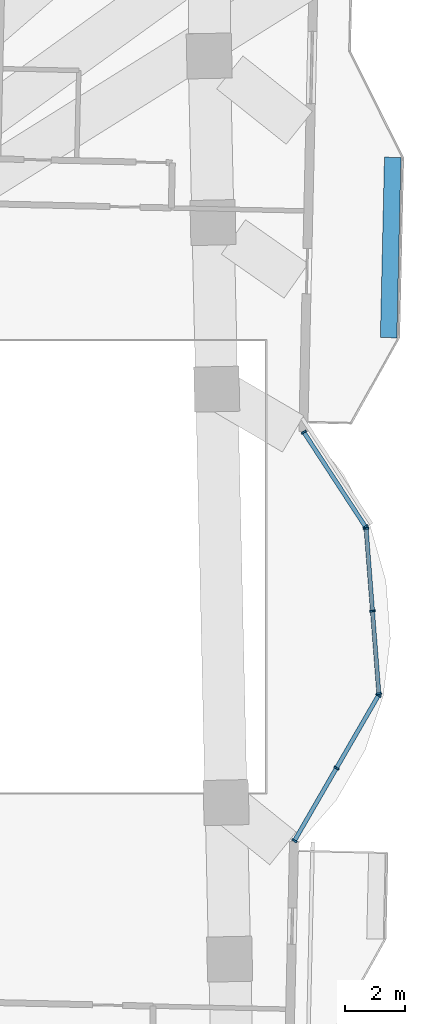
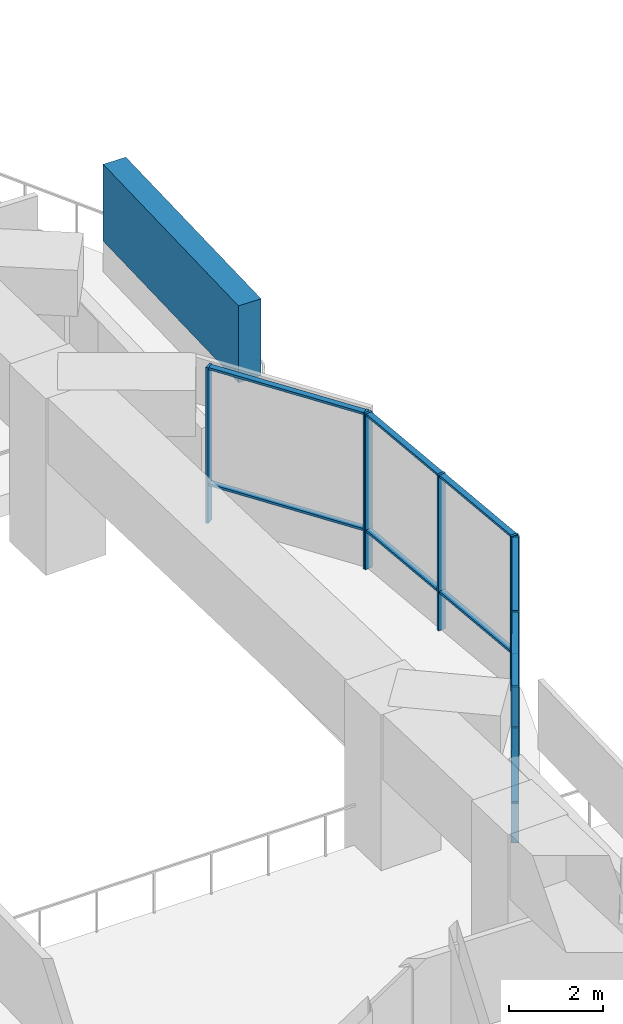
# One storey, part 6 of 20: 19 members, 3 elements without a shape of their own.
"""IFC4 building model written with IfcOpenShell, lengths in metres."""

import ifcopenshell
import ifcopenshell.guid

model = None  # the IFC model being written
_history = None  # IfcOwnerHistory: only IFC2X3 demands one
_inside = {}  # id of a spatial element -> (the spatial element, [elements in it])
_under = {}  # id of a project, library or spatial element -> (it, [spatial elements below it])
_declared = {}  # id of a project -> (the project, [libraries it declares])
_typed = {}  # id of a type object -> (the type object, [elements of that type])
_made_of = {}  # id of a material, layer set ... -> (it, [elements and type objects made of it])


def new_model(schema):
    """Start an empty IFC model of exactly this schema.

    Asked for "IFC4X3", IfcOpenShell would pick the latest addendum, in which some entities
    have other attributes; the version numbers below select the first issue.
    IFC2X3 requires an IfcOwnerHistory on every rooted entity: one is made here for all.
    """
    global model, _history
    if schema == "IFC4X3":
        model = ifcopenshell.file(schema_version=(4, 3, 0, 0))
    else:
        model = ifcopenshell.file(schema=schema)
    _inside.clear()
    _under.clear()
    _declared.clear()
    _typed.clear()
    _made_of.clear()
    _history = None
    if model.schema == "IFC2X3":
        org = make("IfcOrganization", Name="unknown")
        user = make(
            "IfcPersonAndOrganization",
            ThePerson=make("IfcPerson", FamilyName="unknown"),
            TheOrganization=org,
        )
        app = make(
            "IfcApplication",
            ApplicationDeveloper=org,
            Version="unknown",
            ApplicationFullName="unknown",
            ApplicationIdentifier="unknown",
        )
        _history = make(
            "IfcOwnerHistory",
            OwningUser=user,
            OwningApplication=app,
            ChangeAction="ADDED",
            CreationDate=0,
        )
    return model


def make(cls, **values):
    """One entity of the class cls with the attributes given. An attribute that is None is left unset."""
    return model.create_entity(
        cls, **{name: value for name, value in values.items() if value is not None}
    )


def rooted(cls, **values):
    """An entity with a GlobalId (a new one), such as an element, a storey or a relation."""
    return make(cls, GlobalId=ifcopenshell.guid.new(), OwnerHistory=_history, **values)


def si_unit(unit_type, name, prefix=None):
    """IfcSIUnit, for example si_unit("LENGTHUNIT", "METRE", prefix="MILLI")."""
    return make("IfcSIUnit", UnitType=unit_type, Prefix=prefix, Name=name)


def assignment(units):
    """IfcUnitAssignment: the units of a project."""
    return None if units is None else make("IfcUnitAssignment", Units=units)


def point(xyz):
    """IfcCartesianPoint."""
    return None if xyz is None else make("IfcCartesianPoint", Coordinates=xyz)


def direction(xyz):
    """IfcDirection."""
    return None if xyz is None else make("IfcDirection", DirectionRatios=xyz)


def frame(location, z_axis=None, x_axis=None):
    """IfcAxis2Placement3D, a coordinate frame: its origin and axes. An axis left out is left unset."""
    return make(
        "IfcAxis2Placement3D",
        Location=point(location),
        Axis=direction(z_axis),
        RefDirection=direction(x_axis),
    )


def frame_2d(location, x_axis=None):
    """IfcAxis2Placement2D, a coordinate frame in the plane: its origin and x axis."""
    return make(
        "IfcAxis2Placement2D", Location=point(location), RefDirection=direction(x_axis)
    )


def origin():
    """The frame at (0, 0, 0) with its axes left unset."""
    return frame((0.0, 0.0, 0.0))


def origin_2d():
    """The frame at (0, 0) in the plane with its x axis left unset."""
    return frame_2d((0.0, 0.0))


def place(relative_to, where):
    """IfcLocalPlacement: puts the frame where relative to a parent placement (None: the world)."""
    return make(
        "IfcLocalPlacement", PlacementRelTo=relative_to, RelativePlacement=where
    )


def context(
    kind, dimensions, precision=None, world=None, true_north=None, identifier=None
):
    """IfcGeometricRepresentationContext, for example the 3D "Model" context."""
    return make(
        "IfcGeometricRepresentationContext",
        ContextIdentifier=identifier,
        ContextType=kind,
        CoordinateSpaceDimension=dimensions,
        Precision=precision,
        WorldCoordinateSystem=world,
        TrueNorth=true_north,
    )


def subcontext(parent, identifier, kind, view, scale=None):
    """IfcGeometricRepresentationSubContext, for example "Body" below "Model"."""
    return make(
        "IfcGeometricRepresentationSubContext",
        ContextIdentifier=identifier,
        ContextType=kind,
        ParentContext=parent,
        TargetScale=scale,
        TargetView=view,
    )


def project(units=None, contexts=None):
    """IfcProject with its units and contexts."""
    return rooted(
        "IfcProject",
        Name="project",
        RepresentationContexts=contexts,
        UnitsInContext=assignment(units),
    )


def spatial(cls, under=None, at=None, **own):
    """A site, building, storey or space (cls), placed at a placement, below another one or the project."""
    s = rooted(cls, ObjectPlacement=at, **own)
    if under is not None:
        _under.setdefault(under.id(), (under, []))[1].append(s)
    return s


def profile(cls, at=None, kind="AREA", **sizes):
    """A parametric profile (cls). Its sizes go by their IFC names, for example OverallWidth=200.0."""
    return make(cls, ProfileType=kind, Position=at, **sizes)


def rectangle(**sizes):
    """IfcRectangleProfileDef."""
    return profile("IfcRectangleProfileDef", **sizes)


def extrude(swept, where, along, depth):
    """IfcExtrudedAreaSolid: the profile swept, set in the frame where, extruded along a direction by depth."""
    return make(
        "IfcExtrudedAreaSolid",
        SweptArea=swept,
        Position=where,
        ExtrudedDirection=direction(along),
        Depth=depth,
    )


def shape(context_of_items, identifier, shape_type, items):
    """IfcShapeRepresentation: the items that make up one representation, for example the "Body"."""
    return make(
        "IfcShapeRepresentation",
        ContextOfItems=context_of_items,
        RepresentationIdentifier=identifier,
        RepresentationType=shape_type,
        Items=items,
    )


def material(Name=None, Category=None):
    """IfcMaterial."""
    return make("IfcMaterial", Name=Name, Category=Category)


def material_profile(
    of_material, cross_section, Name=None, Category=None, Priority=None
):
    """IfcMaterialProfile: a cross section and its material."""
    return make(
        "IfcMaterialProfile",
        Name=Name,
        Material=of_material,
        Profile=cross_section,
        Priority=Priority,
        Category=Category,
    )


def profile_set(profiles, Name=None, composite=None):
    """IfcMaterialProfileSet."""
    return make(
        "IfcMaterialProfileSet",
        Name=Name,
        MaterialProfiles=profiles,
        CompositeProfile=composite,
    )


def made_of(thing, what):
    """Note that an element or type object is made of a material, layer set ...; save() writes the relation."""
    if what is not None:
        _made_of.setdefault(what.id(), (what, []))[1].append(thing)
    return thing


def type_object(cls, material=None, **own):
    """A type object (cls), such as IfcWallType, which elements share."""
    return made_of(rooted(cls, **own), material)


def element(
    cls,
    number,
    at=None,
    inside=None,
    cuts=None,
    type_object=None,
    material=None,
    context=None,
    identifier="Body",
    shape_type=None,
    held_by="IfcProductDefinitionShape",
    body=None,
    shapes=None,
    **own,
):
    """One element of the class cls, such as IfcWall. Its Tag is "e" and its number.

    at: its placement. inside: the storey or other place that contains it. cuts: it is an
    opening in that element (IfcRelVoidsElement). A single representation is given by context,
    identifier, shape_type and body (its items); several are given by shapes. held_by: the class
    of the entity that holds the representations. save() writes the other relations.
    """
    e = rooted(cls, Tag="e%d" % number, ObjectPlacement=at, **own)
    if body is not None:
        shapes = [shape(context, identifier, shape_type, body)]
    if shapes is not None:
        e.Representation = make(held_by, Representations=shapes)
    if inside is not None:
        _inside.setdefault(inside.id(), (inside, []))[1].append(e)
    if cuts is not None:
        rooted(
            "IfcRelVoidsElement", RelatingBuildingElement=cuts, RelatedOpeningElement=e
        )
    if type_object is not None:
        _typed.setdefault(type_object.id(), (type_object, []))[1].append(e)
    return made_of(e, material)


def aggregate(whole, parts):
    """IfcRelAggregates: a whole, such as a stair, and the parts it consists of."""
    return rooted("IfcRelAggregates", RelatingObject=whole, RelatedObjects=parts)


def save(model, path):
    """Write the relations noted so far, then the file.

    IfcRelAggregates (storeys below a building ...), IfcRelContainedInSpatialStructure (elements
    in a storey), IfcRelDefinesByType, IfcRelAssociatesMaterial and IfcRelDeclares: one each for
    every whole, place, type object, material and project.
    """
    for whole, parts in _under.values():
        aggregate(whole, parts)
    for where, things in _inside.values():
        rooted(
            "IfcRelContainedInSpatialStructure",
            RelatedElements=things,
            RelatingStructure=where,
        )
    for kind, things in _typed.values():
        rooted("IfcRelDefinesByType", RelatedObjects=things, RelatingType=kind)
    for what, things in _made_of.values():
        rooted("IfcRelAssociatesMaterial", RelatedObjects=things, RelatingMaterial=what)
    for by, libraries in _declared.values():
        rooted("IfcRelDeclares", RelatingContext=by, RelatedDefinitions=libraries)
    model.write(path)


model = new_model("IFC4")

# Units and contexts
model_context = context("Model", 3, precision=1e-05, world=origin(), true_north=direction((0.0, 1.0)))
body_context = subcontext(model_context, "Body", "Model", "MODEL_VIEW")
ifc_project = project(units=[si_unit("LENGTHUNIT", "METRE"), si_unit("AREAUNIT", "SQUARE_METRE"), si_unit("VOLUMEUNIT", "CUBIC_METRE"), si_unit("PLANEANGLEUNIT", "RADIAN"), si_unit("MASSUNIT", "GRAM", prefix="KILO")], contexts=[model_context])

# Site, building, storey
site_placement = place(None, origin())
site = spatial("IfcSite", under=ifc_project, at=site_placement, CompositionType="ELEMENT")
building_placement = place(site_placement, origin())
building = spatial("IfcBuilding", under=site, at=building_placement, Name="Mangrove Gate Tower", CompositionType="ELEMENT")
storey_placement = place(building_placement, frame((0.0, 0.0, 52.10009765625)))
storey = spatial("IfcBuildingStorey", under=building, at=storey_placement, Name="L12", CompositionType="ELEMENT", Elevation=52.10009765625)

# Member
ifc_material_1 = material(Name="Planting on aluminium trellis", Category="aluminium")
ifc_material_profile_1 = material_profile(ifc_material_1, rectangle(XDim=0.550048828125, YDim=2.0, at=origin_2d()))
ifc_profile_set_1 = profile_set([ifc_material_profile_1], Name="Planting on aluminium trellis")
member_type_1 = type_object("IfcMemberType", Name="Balcony greenery screen 550x2000", PredefinedType="USERDEFINED", material=ifc_profile_set_1)
member_1_placement = place(storey_placement, frame((34.001953125, 7.616943359375, 1.7998046875), z_axis=(0.022665943652, 0.999743094499, 0.0), x_axis=(-0.999743094499, 0.022665943652, 0.0)))
element("IfcMember", 1, at=member_1_placement, inside=storey, type_object=member_type_1, Name="GREEN SCREEN L12 E1.1", ObjectType="PLANTING", PredefinedType="USERDEFINED", context=body_context, shape_type="SweptSolid", body=[
    extrude(rectangle(XDim=0.550048828125, YDim=2.0, at=origin_2d()), origin(), (0.0, 0.0, 1.0), 5.99951171875),
])

# Curtain wall, members
ifc_material_2 = material(Name="Aluminium and glass curtain wall", Category="aluminium")
curtain_wall_type = type_object("IfcCurtainWallType", Name="Sky-lounge glazing wall", PredefinedType="NOTDEFINED", material=ifc_material_2)
curtain_wall_1_placement = place(storey_placement, origin())
curtain_wall_1 = element("IfcCurtainWall", 2, at=curtain_wall_1_placement, inside=storey, type_object=curtain_wall_type, Name="Sky-lounge glazing E1f1", PredefinedType="NOTDEFINED")
ifc_material_3 = material(Name="Aluminium alloy 6063-T6", Category="aluminium")
ifc_material_profile_2 = material_profile(ifc_material_3, rectangle(XDim=0.06005859375, YDim=0.179931640625, at=origin_2d()))
ifc_profile_set_2 = profile_set([ifc_material_profile_2], Name="Aluminium alloy 6063-T6")
member_type_2 = type_object("IfcMemberType", Name="Sky-lounge glazing mullion 60x180", PredefinedType="MULLION", material=ifc_profile_set_2)
member_2_placement = place(storey_placement, frame((30.87060546875, -9.1103515625, 0.0), z_axis=(0.0, 0.0, 1.0), x_axis=(0.500418160359, 0.865783844145, 0.0)))
member_2 = element("IfcMember", 3, at=member_2_placement, type_object=member_type_2, Name="CWK mullion 1", PredefinedType="MULLION", context=body_context, shape_type="SweptSolid", body=[
    extrude(rectangle(XDim=0.06005859375, YDim=0.179931640625, at=origin_2d()), origin(), (0.0, 0.0, 1.0), 4.0498046875),
])
member_3_placement = place(storey_placement, frame((32.267333984375, -6.694091796875, 0.0), z_axis=(0.0, 0.0, 1.0), x_axis=(0.500418160359, 0.865783844145, 0.0)))
member_3 = element("IfcMember", 4, at=member_3_placement, type_object=member_type_2, Name="CWK mullion 2", PredefinedType="MULLION", context=body_context, shape_type="SweptSolid", body=[
    extrude(rectangle(XDim=0.06005859375, YDim=0.179931640625, at=origin_2d()), origin(), (0.0, 0.0, 1.0), 4.0498046875),
])
member_4_placement = place(storey_placement, frame((33.663818359375, -4.27783203125, 0.0), z_axis=(0.0, 0.0, 1.0), x_axis=(0.500418160359, 0.865783844145, 0.0)))
member_4 = element("IfcMember", 5, at=member_4_placement, type_object=member_type_2, Name="CWK mullion 3", PredefinedType="MULLION", context=body_context, shape_type="SweptSolid", body=[
    extrude(rectangle(XDim=0.06005859375, YDim=0.179931640625, at=origin_2d()), origin(), (0.0, 0.0, 1.0), 4.0498046875),
])

curtain_wall_2_placement = place(storey_placement, origin())
curtain_wall_2 = element("IfcCurtainWall", 6, at=curtain_wall_2_placement, inside=storey, type_object=curtain_wall_type, Name="Sky-lounge glazing E1f2", PredefinedType="NOTDEFINED")
member_5_placement = place(storey_placement, frame((33.676513671875, -4.221923828125, 0.0), z_axis=(0.0, 0.0, 1.0), x_axis=(-0.077023348212, 0.997029289354, 0.0)))
member_5 = element("IfcMember", 7, at=member_5_placement, type_object=member_type_2, Name="CWK mullion 1", PredefinedType="MULLION", context=body_context, shape_type="SweptSolid", body=[
    extrude(rectangle(XDim=0.06005859375, YDim=0.179931640625, at=origin_2d()), origin(), (0.0, 0.0, 1.0), 4.0498046875),
])
member_6_placement = place(storey_placement, frame((33.46435546875, -1.473388671875, 0.0), z_axis=(0.0, 0.0, 1.0), x_axis=(-0.077023348212, 0.997029289354, 0.0)))
member_6 = element("IfcMember", 8, at=member_6_placement, type_object=member_type_2, Name="CWK mullion 2", PredefinedType="MULLION", context=body_context, shape_type="SweptSolid", body=[
    extrude(rectangle(XDim=0.06005859375, YDim=0.179931640625, at=origin_2d()), origin(), (0.0, 0.0, 1.0), 4.0498046875),
])
member_7_placement = place(storey_placement, frame((33.251953125, 1.275146484375, 0.0), z_axis=(0.0, 0.0, 1.0), x_axis=(-0.077023348212, 0.997029289354, 0.0)))
member_7 = element("IfcMember", 9, at=member_7_placement, type_object=member_type_2, Name="CWK mullion 3", PredefinedType="MULLION", context=body_context, shape_type="SweptSolid", body=[
    extrude(rectangle(XDim=0.06005859375, YDim=0.179931640625, at=origin_2d()), origin(), (0.0, 0.0, 1.0), 4.0498046875),
])

curtain_wall_3_placement = place(storey_placement, origin())
curtain_wall_3 = element("IfcCurtainWall", 10, at=curtain_wall_3_placement, inside=storey, type_object=curtain_wall_type, Name="Sky-lounge glazing E1f3", PredefinedType="NOTDEFINED")
member_8_placement = place(storey_placement, frame((33.233154296875, 1.330322265625, 0.0), z_axis=(0.0, 0.0, 1.0), x_axis=(-0.546235085162, 0.837631919006, 0.0)))
member_8 = element("IfcMember", 11, at=member_8_placement, type_object=member_type_2, Name="CWK mullion 1", PredefinedType="MULLION", context=body_context, shape_type="SweptSolid", body=[
    extrude(rectangle(XDim=0.06005859375, YDim=0.179931640625, at=origin_2d()), origin(), (0.0, 0.0, 1.0), 4.0498046875),
])
member_9_placement = place(storey_placement, frame((31.181640625, 4.476318359375, 0.0), z_axis=(0.0, 0.0, 1.0), x_axis=(-0.546235085162, 0.837631919006, 0.0)))
member_9 = element("IfcMember", 12, at=member_9_placement, type_object=member_type_2, Name="CWK mullion 2", PredefinedType="MULLION", context=body_context, shape_type="SweptSolid", body=[
    extrude(rectangle(XDim=0.06005859375, YDim=0.179931640625, at=origin_2d()), origin(), (0.0, 0.0, 1.0), 4.0498046875),
])

# Member
ifc_material_4 = material(Name="Aluminium alloy 6063-T6", Category="aluminium")
ifc_material_profile_3 = material_profile(ifc_material_4, rectangle(XDim=0.06005859375, YDim=0.139892578125, at=origin_2d()))
ifc_profile_set_3 = profile_set([ifc_material_profile_3], Name="Aluminium alloy 6063-T6")
member_type_3 = type_object("IfcMemberType", Name="Sky-lounge glazing transom 60x140", PredefinedType="USERDEFINED", material=ifc_profile_set_3)
member_10_placement = place(storey_placement, frame((30.8857421875, -9.08447265625, 1.0), z_axis=(0.500359513284, 0.865817739173, 0.0), x_axis=(0.0, 0.0, 1.0)))
member_10 = element("IfcMember", 13, at=member_10_placement, type_object=member_type_3, Name="CWK transom 1.2", ObjectType="TRANSOM", PredefinedType="USERDEFINED", context=body_context, shape_type="SweptSolid", body=[
    extrude(rectangle(XDim=0.06005859375, YDim=0.139892578125, at=origin_2d()), origin(), (0.0, 0.0, 1.0), 2.73095703125),
])

member_11_placement = place(storey_placement, frame((30.8857421875, -9.08447265625, 4.02001953125), z_axis=(0.500359513284, 0.865817739173, 0.0), x_axis=(0.0, 0.0, 1.0)))
member_11 = element("IfcMember", 14, at=member_11_placement, type_object=member_type_3, Name="CWK transom 1.3", ObjectType="TRANSOM", PredefinedType="USERDEFINED", context=body_context, shape_type="SweptSolid", body=[
    extrude(rectangle(XDim=0.06005859375, YDim=0.139892578125, at=origin_2d()), origin(), (0.0, 0.0, 1.0), 2.73095703125),
])

member_12_placement = place(storey_placement, frame((32.2822265625, -6.668212890625, 1.0), z_axis=(0.500426524989, 0.865779009382, 0.0), x_axis=(0.0, 0.0, 1.0)))
member_12 = element("IfcMember", 15, at=member_12_placement, type_object=member_type_3, Name="CWK transom 2.2", ObjectType="TRANSOM", PredefinedType="USERDEFINED", context=body_context, shape_type="SweptSolid", body=[
    extrude(rectangle(XDim=0.06005859375, YDim=0.139892578125, at=origin_2d()), origin(), (0.0, 0.0, 1.0), 2.73095703125),
])

member_13_placement = place(storey_placement, frame((32.2822265625, -6.668212890625, 4.02001953125), z_axis=(0.500426524989, 0.865779009382, 0.0), x_axis=(0.0, 0.0, 1.0)))
member_13 = element("IfcMember", 16, at=member_13_placement, type_object=member_type_3, Name="CWK transom 2.3", ObjectType="TRANSOM", PredefinedType="USERDEFINED", context=body_context, shape_type="SweptSolid", body=[
    extrude(rectangle(XDim=0.06005859375, YDim=0.139892578125, at=origin_2d()), origin(), (0.0, 0.0, 1.0), 2.73095703125),
])

aggregate(curtain_wall_1, [member_2, member_3, member_4, member_10, member_11, member_12, member_13])

member_14_placement = place(storey_placement, frame((33.67431640625, -4.19189453125, 1.0), z_axis=(-0.077042645639, 0.997027798385, 0.0), x_axis=(0.0, 0.0, 1.0)))
member_14 = element("IfcMember", 17, at=member_14_placement, type_object=member_type_3, Name="CWK transom 1.2", ObjectType="TRANSOM", PredefinedType="USERDEFINED", context=body_context, shape_type="SweptSolid", body=[
    extrude(rectangle(XDim=0.06005859375, YDim=0.139892578125, at=origin_2d()), origin(), (0.0, 0.0, 1.0), 2.69677734375),
])

member_15_placement = place(storey_placement, frame((33.67431640625, -4.19189453125, 4.02001953125), z_axis=(-0.077042645639, 0.997027798385, 0.0), x_axis=(0.0, 0.0, 1.0)))
member_15 = element("IfcMember", 18, at=member_15_placement, type_object=member_type_3, Name="CWK transom 1.3", ObjectType="TRANSOM", PredefinedType="USERDEFINED", context=body_context, shape_type="SweptSolid", body=[
    extrude(rectangle(XDim=0.06005859375, YDim=0.139892578125, at=origin_2d()), origin(), (0.0, 0.0, 1.0), 2.69677734375),
])

member_16_placement = place(storey_placement, frame((33.4619140625, -1.443359375, 1.0), z_axis=(-0.077042645639, 0.997027798385, 0.0), x_axis=(0.0, 0.0, 1.0)))
member_16 = element("IfcMember", 19, at=member_16_placement, type_object=member_type_3, Name="CWK transom 2.2", ObjectType="TRANSOM", PredefinedType="USERDEFINED", context=body_context, shape_type="SweptSolid", body=[
    extrude(rectangle(XDim=0.06005859375, YDim=0.139892578125, at=origin_2d()), origin(), (0.0, 0.0, 1.0), 2.69677734375),
])

member_17_placement = place(storey_placement, frame((33.4619140625, -1.443359375, 4.02001953125), z_axis=(-0.077042645639, 0.997027798385, 0.0), x_axis=(0.0, 0.0, 1.0)))
member_17 = element("IfcMember", 20, at=member_17_placement, type_object=member_type_3, Name="CWK transom 2.3", ObjectType="TRANSOM", PredefinedType="USERDEFINED", context=body_context, shape_type="SweptSolid", body=[
    extrude(rectangle(XDim=0.06005859375, YDim=0.139892578125, at=origin_2d()), origin(), (0.0, 0.0, 1.0), 2.69677734375),
])

aggregate(curtain_wall_2, [member_5, member_6, member_7, member_14, member_15, member_16, member_17])

member_18_placement = place(storey_placement, frame((33.216796875, 1.355224609375, 1.0), z_axis=(-0.546211360714, 0.837647389674, 0.0), x_axis=(0.0, 0.0, 1.0)))
member_18 = element("IfcMember", 21, at=member_18_placement, type_object=member_type_3, Name="CWK transom 1.2", ObjectType="TRANSOM", PredefinedType="USERDEFINED", context=body_context, shape_type="SweptSolid", body=[
    extrude(rectangle(XDim=0.06005859375, YDim=0.139892578125, at=origin_2d()), origin(), (0.0, 0.0, 1.0), 3.696044921875),
])

member_19_placement = place(storey_placement, frame((33.216796875, 1.355224609375, 4.02001953125), z_axis=(-0.546211360714, 0.837647389674, 0.0), x_axis=(0.0, 0.0, 1.0)))
member_19 = element("IfcMember", 22, at=member_19_placement, type_object=member_type_3, Name="CWK transom 1.3", ObjectType="TRANSOM", PredefinedType="USERDEFINED", context=body_context, shape_type="SweptSolid", body=[
    extrude(rectangle(XDim=0.06005859375, YDim=0.139892578125, at=origin_2d()), origin(), (0.0, 0.0, 1.0), 3.696044921875),
])

aggregate(curtain_wall_3, [member_8, member_9, member_18, member_19])

save(model, "model.ifc")
